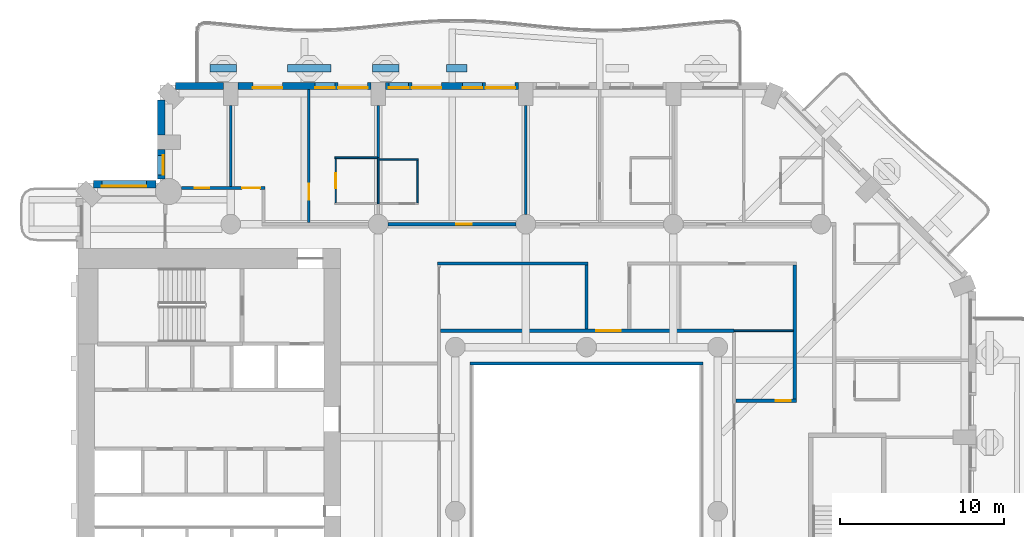
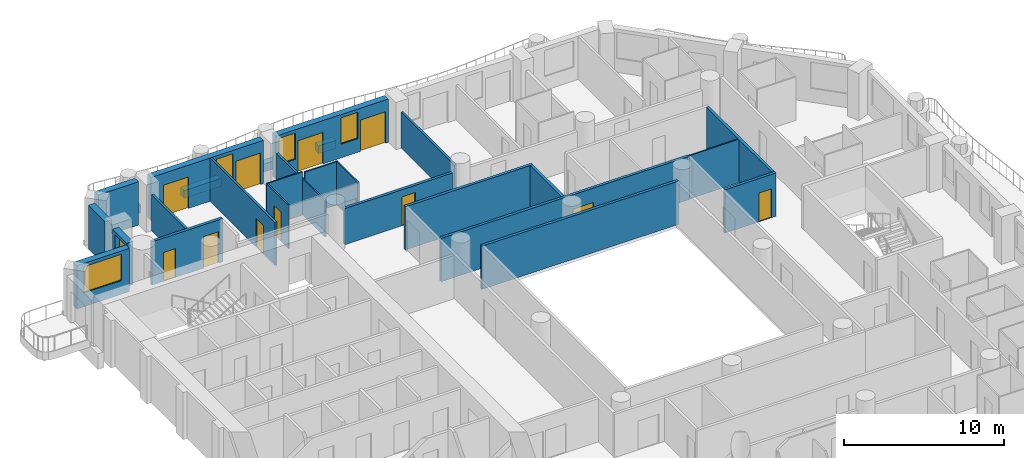
# One storey, part 8 of 20: 28 walls, 11 doors, 5 windows, 16 openings.
"""IFC4 building model written with IfcOpenShell, lengths in metres."""

from ifc_helpers import new_model, si_unit, direction, frame, frame_2d, origin, place, context, subcontext, project, spatial, rectangle, extrude, material, layer, layer_set, type_object, element, fill, save


model = new_model("IFC4")

# Units and contexts
model_context = context("Model", 3, precision=1e-05, world=origin(), true_north=direction((0.0, 1.0)))
body_context = subcontext(model_context, "Body", "Model", "MODEL_VIEW")
ifc_project = project(units=[si_unit("LENGTHUNIT", "METRE"), si_unit("AREAUNIT", "SQUARE_METRE"), si_unit("VOLUMEUNIT", "CUBIC_METRE"), si_unit("PLANEANGLEUNIT", "RADIAN"), si_unit("MASSUNIT", "GRAM", prefix="KILO")], contexts=[model_context])

# Site, building, storey
site_placement = place(None, origin())
site = spatial("IfcSite", under=ifc_project, at=site_placement, CompositionType="ELEMENT")
building_placement = place(site_placement, origin())
building = spatial("IfcBuilding", under=site, at=building_placement, Name="Cypress Arch Tower", CompositionType="ELEMENT")
storey_placement = place(building_placement, frame((0.0, 0.0, 77.10009765625)))
storey = spatial("IfcBuildingStorey", under=building, at=storey_placement, Name="L13", CompositionType="ELEMENT", Elevation=77.10009765625)

# Walls
ifc_material_1 = material(Name="Concrete C40/50, waterproofed", Category="concrete")
ifc_layer_1 = layer(ifc_material_1, 0.449951171875)
ifc_layer_set_1 = layer_set([ifc_layer_1], Name="Balcony planter wall PW450")
wall_type_1 = type_object("IfcWallType", Name="Balcony planter wall PW450", PredefinedType="SOLIDWALL", material=ifc_layer_set_1)
wall_1_placement = place(storey_placement, frame((-6.300048828125, 27.0, 0.0), z_axis=(0.0, 0.0, 1.0), x_axis=(-1.0, 0.0, 0.0)))
element("IfcWall", 1, at=wall_1_placement, inside=storey, type_object=wall_type_1, Name="Balcony planter wall L13-A08.3", PredefinedType="SOLIDWALL", context=body_context, shape_type="SweptSolid", body=[
    extrude(rectangle(XDim=1.25, YDim=0.449951171875, at=frame_2d((0.625, 0.0))), origin(), (0.0, 0.0, 1.0), 0.599853515625),
])
wall_2_placement = place(storey_placement, frame((-10.4375, 27.0, 0.0), z_axis=(0.0, 0.0, 1.0), x_axis=(-1.0, 0.0, 0.0)))
element("IfcWall", 2, at=wall_2_placement, inside=storey, type_object=wall_type_1, Name="Balcony planter wall L13-A08.4", PredefinedType="SOLIDWALL", context=body_context, shape_type="SweptSolid", body=[
    extrude(rectangle(XDim=1.612548828125, YDim=0.449951171875, at=frame_2d((0.80615234375, 0.0))), origin(), (0.0, 0.0, 1.0), 0.599853515625),
])
wall_3_placement = place(storey_placement, frame((-14.574951171875, 27.0, 0.0), z_axis=(0.0, 0.0, 1.0), x_axis=(-1.0, 0.0, 0.0)))
element("IfcWall", 3, at=wall_3_placement, inside=storey, type_object=wall_type_1, Name="Balcony planter wall L13-A08.5", PredefinedType="SOLIDWALL", context=body_context, shape_type="SweptSolid", body=[
    extrude(rectangle(XDim=2.675048828125, YDim=0.449951171875, at=frame_2d((1.33740234375, 0.0))), origin(), (0.0, 0.0, 1.0), 0.599853515625),
])
wall_4_placement = place(storey_placement, frame((-20.35009765625, 27.0, 0.0), z_axis=(0.0, 0.0, 1.0), x_axis=(-1.0, 0.0, 0.0)))
element("IfcWall", 4, at=wall_4_placement, inside=storey, type_object=wall_type_1, Name="Balcony planter wall L13-A08.6", PredefinedType="SOLIDWALL", context=body_context, shape_type="SweptSolid", body=[
    extrude(rectangle(XDim=1.599853515625, YDim=0.449951171875, at=frame_2d((0.7998046875, 0.0))), origin(), (0.0, 0.0, 1.0), 0.599853515625),
])

# Wall, openings, doors, windows
ifc_material_2 = material(Name="Brick (red buff blend)", Category="masonry")
ifc_layer_2 = layer(ifc_material_2, 0.449951171875)
ifc_layer_set_2 = layer_set([ifc_layer_2], Name="Brick pier and spandrel wall BW450")
wall_type_2 = type_object("IfcWallType", Name="Brick pier and spandrel wall BW450", PredefinedType="SOLIDWALL", material=ifc_layer_set_2)
wall_5_placement = place(storey_placement, frame((-3.14990234375, 25.925048828125, 0.0), z_axis=(0.0, 0.0, 1.0), x_axis=(-1.0, 0.0, 0.0)))
wall_5 = element("IfcWall", 5, at=wall_5_placement, inside=storey, type_object=wall_type_2, Name="Brick wall L13 A08.2", PredefinedType="SOLIDWALL", context=body_context, shape_type="SweptSolid", body=[
    extrude(rectangle(XDim=8.10009765625, YDim=0.449951171875, at=frame_2d((4.050048828125, 0.0))), origin(), (0.0, 0.0, 1.0), 3.2998046875),
])
opening_1_placement = place(wall_5_placement, frame((0.199951171875, 0.0, 0.0)))
opening_1 = element("IfcOpeningElement", 6, at=opening_1_placement, cuts=wall_5, Name="Opening D-L13-A08.2.1", PredefinedType="OPENING", context=body_context, shape_type="SweptSolid", body=[
    extrude(rectangle(XDim=1.800048828125, YDim=2.39990234375, at=frame_2d((0.89990234375, 1.199951171875))), frame((0.0, 0.23486328125, 0.0), z_axis=(0.0, -1.0, 0.0), x_axis=(1.0, 0.0, 0.0)), (0.0, 0.0, 1.0), 0.469970703125),
])
opening_2_placement = place(wall_5_placement, frame((2.199951171875, 0.0, 1.050048828125)))
opening_2 = element("IfcOpeningElement", 7, at=opening_2_placement, cuts=wall_5, Name="Opening W120HD", PredefinedType="OPENING", context=body_context, shape_type="SweptSolid", body=[
    extrude(rectangle(XDim=1.199951171875, YDim=2.0, at=frame_2d((0.60009765625, 1.0))), frame((0.0, 0.23486328125, 0.0), z_axis=(0.0, -1.0, 0.0), x_axis=(1.0, 0.0, 0.0)), (0.0, 0.0, 1.0), 0.469970703125),
])
opening_3_placement = place(wall_5_placement, frame((4.699951171875, 0.0, 0.0)))
opening_3 = element("IfcOpeningElement", 8, at=opening_3_placement, cuts=wall_5, Name="Opening D-L13-A08.2.2", PredefinedType="OPENING", context=body_context, shape_type="SweptSolid", body=[
    extrude(rectangle(XDim=1.800048828125, YDim=2.39990234375, at=frame_2d((0.89990234375, 1.199951171875))), frame((0.0, 0.23486328125, 0.0), z_axis=(0.0, -1.0, 0.0), x_axis=(1.0, 0.0, 0.0)), (0.0, 0.0, 1.0), 0.469970703125),
])
opening_4_placement = place(wall_5_placement, frame((6.699951171875, 0.0, 1.050048828125)))
opening_4 = element("IfcOpeningElement", 9, at=opening_4_placement, cuts=wall_5, Name="Opening W120HD", PredefinedType="OPENING", context=body_context, shape_type="SweptSolid", body=[
    extrude(rectangle(XDim=1.199951171875, YDim=2.0, at=frame_2d((0.60009765625, 1.0))), frame((0.0, 0.23486328125, 0.0), z_axis=(0.0, -1.0, 0.0), x_axis=(1.0, 0.0, 0.0)), (0.0, 0.0, 1.0), 0.469970703125),
])
ifc_material_3 = material(Name="Anodised aluminium, bronze finish, laminated low-emissivity double glazing, large-missile impact rated", Category="aluminium")
door_type_1 = type_object("IfcDoorType", Name="Balcony sliding door 1800x2400", OperationType="SLIDING_TO_LEFT", PredefinedType="DOOR", material=ifc_material_3)
door_1_placement = place(opening_1_placement, origin())
door_1 = element("IfcDoor", 10, at=door_1_placement, inside=storey, type_object=door_type_1, Name="Balcony door L13 A08.2.1", OperationType="SLIDING_TO_LEFT", OverallHeight=2.39990234375, OverallWidth=1.800048828125, PredefinedType="DOOR", context=body_context, shape_type="SweptSolid", body=[
    extrude(rectangle(XDim=1.800048828125, YDim=2.39990234375, at=frame_2d((0.89990234375, 1.199951171875))), frame((0.0, 0.1298828125, 0.0), z_axis=(0.0, -1.0, 0.0), x_axis=(1.0, 0.0, 0.0)), (0.0, 0.0, 1.0), 0.050048828125),
])
fill(opening_1, door_1)
door_2_placement = place(opening_3_placement, origin())
door_2 = element("IfcDoor", 11, at=door_2_placement, inside=storey, type_object=door_type_1, Name="Balcony door L13 A08.2.2", OperationType="SLIDING_TO_LEFT", OverallHeight=2.39990234375, OverallWidth=1.800048828125, PredefinedType="DOOR", context=body_context, shape_type="SweptSolid", body=[
    extrude(rectangle(XDim=1.800048828125, YDim=2.39990234375, at=frame_2d((0.89990234375, 1.199951171875))), frame((0.0, 0.1298828125, 0.0), z_axis=(0.0, -1.0, 0.0), x_axis=(1.0, 0.0, 0.0)), (0.0, 0.0, 1.0), 0.050048828125),
])
fill(opening_3, door_2)
ifc_material_4 = material(Name="Anodised aluminium, bronze finish, laminated low-emissivity double glazing, large-missile impact rated", Category="aluminium")
window_type_1 = type_object("IfcWindowType", Name="Window Hotel 1200x2000 debris-rated", PartitioningType="SINGLE_PANEL", PredefinedType="WINDOW", material=ifc_material_4)
window_1_placement = place(opening_2_placement, origin())
window_1 = element("IfcWindow", 12, at=window_1_placement, inside=storey, type_object=window_type_1, Name="Window L13 A08.2.1", OverallHeight=2.0, OverallWidth=1.199951171875, PartitioningType="SINGLE_PANEL", PredefinedType="WINDOW", context=body_context, shape_type="SweptSolid", body=[
    extrude(rectangle(XDim=1.199951171875, YDim=2.0, at=frame_2d((0.60009765625, 1.0))), frame((0.0, 0.135009765625, 0.0), z_axis=(0.0, -1.0, 0.0), x_axis=(1.0, 0.0, 0.0)), (0.0, 0.0, 1.0), 0.06005859375),
])
fill(opening_2, window_1)
window_2_placement = place(opening_4_placement, origin())
window_2 = element("IfcWindow", 13, at=window_2_placement, inside=storey, type_object=window_type_1, Name="Window L13 A08.2.2", OverallHeight=2.0, OverallWidth=1.199951171875, PartitioningType="SINGLE_PANEL", PredefinedType="WINDOW", context=body_context, shape_type="SweptSolid", body=[
    extrude(rectangle(XDim=1.199951171875, YDim=2.0, at=frame_2d((0.60009765625, 1.0))), frame((0.0, 0.135009765625, 0.0), z_axis=(0.0, -1.0, 0.0), x_axis=(1.0, 0.0, 0.0)), (0.0, 0.0, 1.0), 0.06005859375),
])
fill(opening_4, window_2)

# Wall, openings, doors, window
wall_6_placement = place(storey_placement, frame((-12.14990234375, 25.925048828125, 0.0), z_axis=(0.0, 0.0, 1.0), x_axis=(-1.0, 0.0, 0.0)))
wall_6 = element("IfcWall", 14, at=wall_6_placement, inside=storey, type_object=wall_type_2, Name="Brick wall L13 A08.3", PredefinedType="SOLIDWALL", context=body_context, shape_type="SweptSolid", body=[
    extrude(rectangle(XDim=8.10009765625, YDim=0.449951171875, at=frame_2d((4.050048828125, 0.0))), origin(), (0.0, 0.0, 1.0), 3.2998046875),
])
opening_5_placement = place(wall_6_placement, frame((0.199951171875, 0.0, 0.0)))
opening_5 = element("IfcOpeningElement", 15, at=opening_5_placement, cuts=wall_6, Name="Opening D-L13-A08.3.1", PredefinedType="OPENING", context=body_context, shape_type="SweptSolid", body=[
    extrude(rectangle(XDim=1.800048828125, YDim=2.39990234375, at=frame_2d((0.89990234375, 1.199951171875))), frame((0.0, 0.23486328125, 0.0), z_axis=(0.0, -1.0, 0.0), x_axis=(1.0, 0.0, 0.0)), (0.0, 0.0, 1.0), 0.469970703125),
])
opening_6_placement = place(wall_6_placement, frame((2.199951171875, 0.0, 1.050048828125)))
opening_6 = element("IfcOpeningElement", 16, at=opening_6_placement, cuts=wall_6, Name="Opening W120HD", PredefinedType="OPENING", context=body_context, shape_type="SweptSolid", body=[
    extrude(rectangle(XDim=1.199951171875, YDim=2.0, at=frame_2d((0.60009765625, 1.0))), frame((0.0, 0.23486328125, 0.0), z_axis=(0.0, -1.0, 0.0), x_axis=(1.0, 0.0, 0.0)), (0.0, 0.0, 1.0), 0.469970703125),
])
opening_7_placement = place(wall_6_placement, frame((5.39990234375, 0.0, 0.0)))
opening_7 = element("IfcOpeningElement", 17, at=opening_7_placement, cuts=wall_6, Name="Opening D-L13-A08.3.2", PredefinedType="OPENING", context=body_context, shape_type="SweptSolid", body=[
    extrude(rectangle(XDim=1.800048828125, YDim=2.39990234375, at=frame_2d((0.89990234375, 1.199951171875))), frame((0.0, 0.23486328125, 0.0), z_axis=(0.0, -1.0, 0.0), x_axis=(1.0, 0.0, 0.0)), (0.0, 0.0, 1.0), 0.469970703125),
])
door_3_placement = place(opening_5_placement, origin())
door_3 = element("IfcDoor", 18, at=door_3_placement, inside=storey, type_object=door_type_1, Name="Balcony door L13 A08.3.1", OperationType="SLIDING_TO_LEFT", OverallHeight=2.39990234375, OverallWidth=1.800048828125, PredefinedType="DOOR", context=body_context, shape_type="SweptSolid", body=[
    extrude(rectangle(XDim=1.800048828125, YDim=2.39990234375, at=frame_2d((0.89990234375, 1.199951171875))), frame((0.0, 0.1298828125, 0.0), z_axis=(0.0, -1.0, 0.0), x_axis=(1.0, 0.0, 0.0)), (0.0, 0.0, 1.0), 0.050048828125),
])
fill(opening_5, door_3)
door_4_placement = place(opening_7_placement, origin())
door_4 = element("IfcDoor", 19, at=door_4_placement, inside=storey, type_object=door_type_1, Name="Balcony door L13 A08.3.2", OperationType="SLIDING_TO_LEFT", OverallHeight=2.39990234375, OverallWidth=1.800048828125, PredefinedType="DOOR", context=body_context, shape_type="SweptSolid", body=[
    extrude(rectangle(XDim=1.800048828125, YDim=2.39990234375, at=frame_2d((0.89990234375, 1.199951171875))), frame((0.0, 0.1298828125, 0.0), z_axis=(0.0, -1.0, 0.0), x_axis=(1.0, 0.0, 0.0)), (0.0, 0.0, 1.0), 0.050048828125),
])
fill(opening_7, door_4)
window_3_placement = place(opening_6_placement, origin())
window_3 = element("IfcWindow", 20, at=window_3_placement, inside=storey, type_object=window_type_1, Name="Window L13 A08.3.1", OverallHeight=2.0, OverallWidth=1.199951171875, PartitioningType="SINGLE_PANEL", PredefinedType="WINDOW", context=body_context, shape_type="SweptSolid", body=[
    extrude(rectangle(XDim=1.199951171875, YDim=2.0, at=frame_2d((0.60009765625, 1.0))), frame((0.0, 0.135009765625, 0.0), z_axis=(0.0, -1.0, 0.0), x_axis=(1.0, 0.0, 0.0)), (0.0, 0.0, 1.0), 0.06005859375),
])
fill(opening_6, window_3)

# Walls
wall_7_placement = place(storey_placement, frame((-21.14990234375, 25.925048828125, 0.0), z_axis=(0.0, 0.0, 1.0), x_axis=(-1.0, 0.0, 0.0)))
element("IfcWall", 21, at=wall_7_placement, inside=storey, type_object=wall_type_2, Name="Brick wall L13 A08.4", PredefinedType="SOLIDWALL", context=body_context, shape_type="SweptSolid", body=[
    extrude(rectangle(XDim=2.913818359375, YDim=0.449951171875, at=frame_2d((1.45703125, 0.0))), origin(), (0.0, 0.0, 1.0), 3.2998046875),
])
wall_8_placement = place(storey_placement, frame((-24.925048828125, 25.063720703125, 0.0), z_axis=(0.0, 0.0, 1.0), x_axis=(0.0, -1.0, 0.0)))
element("IfcWall", 22, at=wall_8_placement, inside=storey, type_object=wall_type_2, Name="Brick wall L13 A09.0", PredefinedType="SOLIDWALL", context=body_context, shape_type="SweptSolid", body=[
    extrude(rectangle(XDim=2.11376953125, YDim=0.449951171875, at=frame_2d((1.056884765625, 0.0))), origin(), (0.0, 0.0, 1.0), 3.2998046875),
])

# Wall, opening, window
wall_9_placement = place(storey_placement, frame((-24.925048828125, 22.050048828125, 0.0), z_axis=(0.0, 0.0, 1.0), x_axis=(0.0, -1.0, 0.0)))
wall_9 = element("IfcWall", 23, at=wall_9_placement, inside=storey, type_object=wall_type_2, Name="Brick wall L13 A09.1", PredefinedType="SOLIDWALL", context=body_context, shape_type="SweptSolid", body=[
    extrude(rectangle(XDim=1.79150390625, YDim=0.449951171875, at=frame_2d((0.895751953125, 0.0))), origin(), (0.0, 0.0, 1.0), 3.2998046875),
])
opening_8_placement = place(wall_9_placement, frame((0.35009765625, 0.0, 1.050048828125)))
opening_8 = element("IfcOpeningElement", 24, at=opening_8_placement, cuts=wall_9, Name="Opening W120H", PredefinedType="OPENING", context=body_context, shape_type="SweptSolid", body=[
    extrude(rectangle(XDim=1.199951171875, YDim=2.0, at=frame_2d((0.60009765625, 1.0))), frame((0.0, 0.23486328125, 0.0), z_axis=(0.0, -1.0, 0.0), x_axis=(1.0, 0.0, 0.0)), (0.0, 0.0, 1.0), 0.469970703125),
])
ifc_material_5 = material(Name="Anodised aluminium, bronze finish, clear low-emissivity double glazing", Category="aluminium")
window_type_2 = type_object("IfcWindowType", Name="Window Hotel 1200x2000", PartitioningType="SINGLE_PANEL", PredefinedType="WINDOW", material=ifc_material_5)
window_4_placement = place(opening_8_placement, origin())
window_4 = element("IfcWindow", 25, at=window_4_placement, inside=storey, type_object=window_type_2, Name="Window L13 A09.1.1", OverallHeight=2.0, OverallWidth=1.199951171875, PartitioningType="SINGLE_PANEL", PredefinedType="WINDOW", context=body_context, shape_type="SweptSolid", body=[
    extrude(rectangle(XDim=1.199951171875, YDim=2.0, at=frame_2d((0.60009765625, 1.0))), frame((0.0, 0.135009765625, 0.0), z_axis=(0.0, -1.0, 0.0), x_axis=(1.0, 0.0, 0.0)), (0.0, 0.0, 1.0), 0.06005859375),
])
fill(opening_8, window_4)

wall_10_placement = place(storey_placement, frame((-25.258544921875, 19.925048828125, 0.0), z_axis=(0.0, 0.0, 1.0), x_axis=(-1.0, 0.0, 0.0)))
wall_10 = element("IfcWall", 26, at=wall_10_placement, inside=storey, type_object=wall_type_2, Name="Brick wall L13 A10.0", PredefinedType="SOLIDWALL", context=body_context, shape_type="SweptSolid", body=[
    extrude(rectangle(XDim=3.80517578125, YDim=0.449951171875, at=frame_2d((1.902587890625, 0.0))), origin(), (0.0, 0.0, 1.0), 3.2998046875),
])
opening_9_placement = place(wall_10_placement, frame((0.591552734375, 0.0, 1.050048828125)))
opening_9 = element("IfcOpeningElement", 27, at=opening_9_placement, cuts=wall_10, Name="Opening W270H", PredefinedType="OPENING", context=body_context, shape_type="SweptSolid", body=[
    extrude(rectangle(XDim=2.699951171875, YDim=2.0, at=frame_2d((1.35009765625, 1.0))), frame((0.0, 0.23486328125, 0.0), z_axis=(0.0, -1.0, 0.0), x_axis=(1.0, 0.0, 0.0)), (0.0, 0.0, 1.0), 0.469970703125),
])
ifc_material_6 = material(Name="Anodised aluminium, bronze finish, clear low-emissivity double glazing", Category="aluminium")
window_type_3 = type_object("IfcWindowType", Name="Window Hotel 2700x2000", PartitioningType="SINGLE_PANEL", PredefinedType="WINDOW", material=ifc_material_6)
window_5_placement = place(opening_9_placement, origin())
window_5 = element("IfcWindow", 28, at=window_5_placement, inside=storey, type_object=window_type_3, Name="Window L13 A10.0.1", OverallHeight=2.0, OverallWidth=2.699951171875, PartitioningType="SINGLE_PANEL", PredefinedType="WINDOW", context=body_context, shape_type="SweptSolid", body=[
    extrude(rectangle(XDim=2.699951171875, YDim=2.0, at=frame_2d((1.35009765625, 1.0))), frame((0.0, 0.135009765625, 0.0), z_axis=(0.0, -1.0, 0.0), x_axis=(1.0, 0.0, 0.0)), (0.0, 0.0, 1.0), 0.06005859375),
])
fill(opening_9, window_5)

# Wall, openings, doors
ifc_material_7 = material(Name="Concrete blockwork, plastered, rated", Category="masonry")
ifc_layer_3 = layer(ifc_material_7, 0.199951171875)
ifc_layer_set_3 = layer_set([ifc_layer_3], Name="Corridor wall FW200")
wall_type_3 = type_object("IfcWallType", Name="Corridor wall FW200", PredefinedType="PARTITIONING", material=ifc_layer_set_3)
wall_11_placement = place(storey_placement, frame((-23.7001953125, 19.699951171875, 0.0), z_axis=(0.0, 0.0, 1.0), x_axis=(1.0, 0.0, 0.0)))
wall_11 = element("IfcWall", 29, at=wall_11_placement, inside=storey, type_object=wall_type_3, Name="Corridor wall", PredefinedType="PARTITIONING", context=body_context, shape_type="SweptSolid", body=[
    extrude(rectangle(XDim=5.10009765625, YDim=0.199951171875, at=frame_2d((2.550048828125, 0.0))), origin(), (0.0, 0.0, 1.0), 3.2998046875),
])
opening_10_placement = place(wall_11_placement, frame((0.800048828125, 0.0, 0.0)))
opening_10 = element("IfcOpeningElement", 30, at=opening_10_placement, cuts=wall_11, Name="Opening D05", PredefinedType="OPENING", context=body_context, shape_type="SweptSolid", body=[
    extrude(rectangle(XDim=0.89990234375, YDim=2.199951171875, at=frame_2d((0.449951171875, 1.10009765625))), frame((0.0, 0.10986328125, 0.0), z_axis=(0.0, -1.0, 0.0), x_axis=(1.0, 0.0, 0.0)), (0.0, 0.0, 1.0), 0.219970703125),
])
opening_11_placement = place(wall_11_placement, frame((3.699951171875, 0.0, 0.0)))
opening_11 = element("IfcOpeningElement", 31, at=opening_11_placement, cuts=wall_11, Name="Opening D01", PredefinedType="OPENING", context=body_context, shape_type="SweptSolid", body=[
    extrude(rectangle(XDim=1.10009765625, YDim=2.39990234375, at=frame_2d((0.550048828125, 1.199951171875))), frame((0.0, 0.10986328125, 0.0), z_axis=(0.0, -1.0, 0.0), x_axis=(1.0, 0.0, 0.0)), (0.0, 0.0, 1.0), 0.219970703125),
])
ifc_material_8 = material(Name="Timber flush door", Category="wood")
door_type_2 = type_object("IfcDoorType", Name="Service door D05 900x2200", OperationType="SINGLE_SWING_LEFT", PredefinedType="DOOR", material=ifc_material_8)
door_5_placement = place(opening_10_placement, origin())
door_5 = element("IfcDoor", 32, at=door_5_placement, inside=storey, type_object=door_type_2, Name="Service door", OperationType="SINGLE_SWING_LEFT", OverallHeight=2.199951171875, OverallWidth=0.89990234375, PredefinedType="DOOR", context=body_context, shape_type="SweptSolid", body=[
    extrude(rectangle(XDim=0.89990234375, YDim=2.199951171875, at=frame_2d((0.449951171875, 1.10009765625))), frame((0.0, 0.02490234375, 0.0), z_axis=(0.0, -1.0, 0.0), x_axis=(1.0, 0.0, 0.0)), (0.0, 0.0, 1.0), 0.050048828125),
])
fill(opening_10, door_5)
ifc_material_9 = material(Name="Timber flush door, fire resisting, self-closing", Category="wood")
door_type_3 = type_object("IfcDoorType", Name="Unit entrance door D01 1100x2400", OperationType="SINGLE_SWING_LEFT", PredefinedType="DOOR", material=ifc_material_9)
door_6_placement = place(opening_11_placement, origin())
door_6 = element("IfcDoor", 33, at=door_6_placement, inside=storey, type_object=door_type_3, Name="Unit entrance door", OperationType="SINGLE_SWING_LEFT", OverallHeight=2.39990234375, OverallWidth=1.10009765625, PredefinedType="DOOR", context=body_context, shape_type="SweptSolid", body=[
    extrude(rectangle(XDim=1.10009765625, YDim=2.39990234375, at=frame_2d((0.550048828125, 1.199951171875))), frame((0.0, 0.02490234375, 0.0), z_axis=(0.0, -1.0, 0.0), x_axis=(1.0, 0.0, 0.0)), (0.0, 0.0, 1.0), 0.050048828125),
])
fill(opening_11, door_6)

# Wall, opening, door
wall_12_placement = place(storey_placement, frame((-11.10009765625, 17.5, 0.0), z_axis=(0.0, 0.0, 1.0), x_axis=(1.0, 0.0, 0.0)))
wall_12 = element("IfcWall", 34, at=wall_12_placement, inside=storey, type_object=wall_type_3, Name="Corridor wall", PredefinedType="PARTITIONING", context=body_context, shape_type="SweptSolid", body=[
    extrude(rectangle(XDim=7.800048828125, YDim=0.199951171875, at=frame_2d((3.89990234375, 0.0))), origin(), (0.0, 0.0, 1.0), 2.75),
])
opening_12_placement = place(wall_12_placement, frame((4.14990234375, 0.0, 0.0)))
opening_12 = element("IfcOpeningElement", 35, at=opening_12_placement, cuts=wall_12, Name="Opening D02", PredefinedType="OPENING", context=body_context, shape_type="SweptSolid", body=[
    extrude(rectangle(XDim=0.949951171875, YDim=2.199951171875, at=frame_2d((0.47509765625, 1.10009765625))), frame((0.0, 0.10986328125, 0.0), z_axis=(0.0, -1.0, 0.0), x_axis=(1.0, 0.0, 0.0)), (0.0, 0.0, 1.0), 0.219970703125),
])
ifc_material_10 = material(Name="Timber flush door, fire resisting", Category="wood")
door_type_4 = type_object("IfcDoorType", Name="Room door D02 950x2200", OperationType="SINGLE_SWING_LEFT", PredefinedType="DOOR", material=ifc_material_10)
door_7_placement = place(opening_12_placement, origin())
door_7 = element("IfcDoor", 36, at=door_7_placement, inside=storey, type_object=door_type_4, Name="Room door", OperationType="SINGLE_SWING_RIGHT", OverallHeight=2.199951171875, OverallWidth=0.949951171875, PredefinedType="DOOR", context=body_context, shape_type="SweptSolid", body=[
    extrude(rectangle(XDim=0.949951171875, YDim=2.199951171875, at=frame_2d((0.47509765625, 1.10009765625))), frame((0.0, 0.02490234375, 0.0), z_axis=(0.0, -1.0, 0.0), x_axis=(1.0, 0.0, 0.0)), (0.0, 0.0, 1.0), 0.050048828125),
])
fill(opening_12, door_7)

wall_13_placement = place(storey_placement, frame((-7.89990234375, 11.0, 0.0), z_axis=(0.0, 0.0, 1.0), x_axis=(1.0, 0.0, 0.0)))
wall_13 = element("IfcWall", 37, at=wall_13_placement, inside=storey, type_object=wall_type_3, Name="Corridor wall", PredefinedType="PARTITIONING", context=body_context, shape_type="SweptSolid", body=[
    extrude(rectangle(XDim=17.89990234375, YDim=0.199951171875, at=frame_2d((8.949951171875, 0.0))), origin(), (0.0, 0.0, 1.0), 3.2998046875),
])
opening_13_placement = place(wall_13_placement, frame((9.5, 0.0, 0.0)))
opening_13 = element("IfcOpeningElement", 38, at=opening_13_placement, cuts=wall_13, Name="Opening D04", PredefinedType="OPENING", context=body_context, shape_type="SweptSolid", body=[
    extrude(rectangle(XDim=1.5, YDim=2.199951171875, at=frame_2d((0.75, 1.10009765625))), frame((0.0, 0.10986328125, 0.0), z_axis=(0.0, -1.0, 0.0), x_axis=(1.0, 0.0, 0.0)), (0.0, 0.0, 1.0), 0.219970703125),
])
ifc_material_11 = material(Name="Timber double door", Category="wood")
door_type_5 = type_object("IfcDoorType", Name="Double door D04 1500x2200", OperationType="DOUBLE_DOOR_SINGLE_SWING", PredefinedType="DOOR", material=ifc_material_11)
door_8_placement = place(opening_13_placement, origin())
door_8 = element("IfcDoor", 39, at=door_8_placement, inside=storey, type_object=door_type_5, Name="Double door", OperationType="DOUBLE_DOOR_SINGLE_SWING", OverallHeight=2.199951171875, OverallWidth=1.5, PredefinedType="DOOR", context=body_context, shape_type="SweptSolid", body=[
    extrude(rectangle(XDim=1.5, YDim=2.199951171875, at=frame_2d((0.75, 1.10009765625))), frame((0.0, 0.02490234375, 0.0), z_axis=(0.0, -1.0, 0.0), x_axis=(1.0, 0.0, 0.0)), (0.0, 0.0, 1.0), 0.050048828125),
])
fill(opening_13, door_8)

# Walls
wall_14_placement = place(storey_placement, frame((-8.10009765625, 15.10009765625, 0.0), z_axis=(0.0, 0.0, 1.0), x_axis=(1.0, 0.0, 0.0)))
element("IfcWall", 40, at=wall_14_placement, inside=storey, type_object=wall_type_3, Name="Corridor wall", PredefinedType="PARTITIONING", context=body_context, shape_type="SweptSolid", body=[
    extrude(rectangle(XDim=9.2001953125, YDim=0.199951171875, at=frame_2d((4.60009765625, 0.0))), origin(), (0.0, 0.0, 1.0), 3.2998046875),
])
wall_15_placement = place(storey_placement, frame((-6.10009765625, 9.0, 0.0), z_axis=(0.0, 0.0, 1.0), x_axis=(1.0, 0.0, 0.0)))
element("IfcWall", 41, at=wall_15_placement, inside=storey, type_object=wall_type_3, Name="Corridor wall", PredefinedType="PARTITIONING", context=body_context, shape_type="SweptSolid", body=[
    extrude(rectangle(XDim=14.2001953125, YDim=0.199951171875, at=frame_2d((7.10009765625, 0.0))), origin(), (0.0, 0.0, 1.0), 3.2998046875),
])
wall_16_placement = place(storey_placement, frame((1.0, 11.10009765625, 0.0), z_axis=(0.0, 0.0, 1.0), x_axis=(0.0, 1.0, 0.0)))
element("IfcWall", 42, at=wall_16_placement, inside=storey, type_object=wall_type_3, Name="Corridor wall", PredefinedType="PARTITIONING", context=body_context, shape_type="SweptSolid", body=[
    extrude(rectangle(XDim=3.89990234375, YDim=0.199951171875, at=frame_2d((1.949951171875, 0.0))), origin(), (0.0, 0.0, 1.0), 3.2998046875),
])

# Wall, opening, door
wall_17_placement = place(storey_placement, frame((10.10009765625, 6.72509765625, 0.0), z_axis=(0.0, 0.0, 1.0), x_axis=(1.0, 0.0, 0.0)))
wall_17 = element("IfcWall", 43, at=wall_17_placement, inside=storey, type_object=wall_type_3, Name="Corridor wall", PredefinedType="PARTITIONING", context=body_context, shape_type="SweptSolid", body=[
    extrude(rectangle(XDim=3.699951171875, YDim=0.199951171875, at=frame_2d((1.85009765625, 0.0))), origin(), (0.0, 0.0, 1.0), 3.2998046875),
])
opening_14_placement = place(wall_17_placement, frame((2.449951171875, 0.0, 0.0)))
opening_14 = element("IfcOpeningElement", 44, at=opening_14_placement, cuts=wall_17, Name="Opening D03", PredefinedType="OPENING", context=body_context, shape_type="SweptSolid", body=[
    extrude(rectangle(XDim=0.89990234375, YDim=2.199951171875, at=frame_2d((0.449951171875, 1.10009765625))), frame((0.0, 0.10986328125, 0.0), z_axis=(0.0, -1.0, 0.0), x_axis=(1.0, 0.0, 0.0)), (0.0, 0.0, 1.0), 0.219970703125),
])
ifc_material_12 = material(Name="Timber flush door, moisture resistant", Category="wood")
door_type_6 = type_object("IfcDoorType", Name="Bathroom door D03 900x2200", OperationType="SINGLE_SWING_LEFT", PredefinedType="DOOR", material=ifc_material_12)
door_9_placement = place(opening_14_placement, origin())
door_9 = element("IfcDoor", 45, at=door_9_placement, inside=storey, type_object=door_type_6, Name="Bathroom door", OperationType="SINGLE_SWING_RIGHT", OverallHeight=2.199951171875, OverallWidth=0.89990234375, PredefinedType="DOOR", context=body_context, shape_type="SweptSolid", body=[
    extrude(rectangle(XDim=0.89990234375, YDim=2.199951171875, at=frame_2d((0.449951171875, 1.10009765625))), frame((0.0, 0.02490234375, 0.0), z_axis=(0.0, -1.0, 0.0), x_axis=(1.0, 0.0, 0.0)), (0.0, 0.0, 1.0), 0.050048828125),
])
fill(opening_14, door_9)

# Walls
wall_18_placement = place(storey_placement, frame((13.699951171875, 6.824951171875, 0.0), z_axis=(0.0, 0.0, 1.0), x_axis=(0.0, 1.0, 0.0)))
element("IfcWall", 46, at=wall_18_placement, inside=storey, type_object=wall_type_3, Name="Corridor wall", PredefinedType="PARTITIONING", context=body_context, shape_type="SweptSolid", body=[
    extrude(rectangle(XDim=8.175048828125, YDim=0.199951171875, at=frame_2d((4.08740234375, 0.0))), origin(), (0.0, 0.0, 1.0), 3.2998046875),
])
ifc_material_13 = material(Name="Blockwork, plastered both sides", Category="masonry")
ifc_layer_4 = layer(ifc_material_13, 0.14990234375)
ifc_layer_set_4 = layer_set([ifc_layer_4], Name="Partition PW150")
wall_type_4 = type_object("IfcWallType", Name="Partition PW150", PredefinedType="PARTITIONING", material=ifc_layer_set_4)
wall_19_placement = place(storey_placement, frame((-20.699951171875, 19.800048828125, 0.0), z_axis=(0.0, 0.0, 1.0), x_axis=(0.0, 1.0, 0.0)))
element("IfcWall", 47, at=wall_19_placement, inside=storey, type_object=wall_type_4, Name="Partition", PredefinedType="PARTITIONING", context=body_context, shape_type="SweptSolid", body=[
    extrude(rectangle(XDim=4.949951171875, YDim=0.14990234375, at=frame_2d((2.47509765625, 0.0))), origin(), (0.0, 0.0, 1.0), 2.75),
])

# Wall, opening, door
wall_20_placement = place(storey_placement, frame((-15.930908203125, 17.60009765625, 0.0), z_axis=(0.0, 0.0, 1.0), x_axis=(0.0, 1.0, 0.0)))
wall_20 = element("IfcWall", 48, at=wall_20_placement, inside=storey, type_object=wall_type_4, Name="Partition", PredefinedType="PARTITIONING", context=body_context, shape_type="SweptSolid", body=[
    extrude(rectangle(XDim=8.099853515625, YDim=0.14990234375, at=frame_2d((4.0498046875, 0.0))), origin(), (0.0, 0.0, 1.0), 3.2998046875),
])
opening_15_placement = place(wall_20_placement, frame((1.39990234375, 0.0, 0.0)))
opening_15 = element("IfcOpeningElement", 49, at=opening_15_placement, cuts=wall_20, Name="Opening D12", PredefinedType="OPENING", context=body_context, shape_type="SweptSolid", body=[
    extrude(rectangle(XDim=0.949951171875, YDim=2.199951171875, at=frame_2d((0.47509765625, 1.10009765625))), frame((0.0, 0.0849609375, 0.0), z_axis=(0.0, -1.0, 0.0), x_axis=(1.0, 0.0, 0.0)), (0.0, 0.0, 1.0), 0.169921875),
])
ifc_material_14 = material(Name="Timber flush door", Category="wood")
door_type_7 = type_object("IfcDoorType", Name="Room door D12 950x2200", OperationType="SINGLE_SWING_LEFT", PredefinedType="DOOR", material=ifc_material_14)
door_10_placement = place(opening_15_placement, origin())
door_10 = element("IfcDoor", 50, at=door_10_placement, inside=storey, type_object=door_type_7, Name="Room door", OperationType="SINGLE_SWING_LEFT", OverallHeight=2.199951171875, OverallWidth=0.949951171875, PredefinedType="DOOR", context=body_context, shape_type="SweptSolid", body=[
    extrude(rectangle(XDim=0.949951171875, YDim=2.199951171875, at=frame_2d((0.47509765625, 1.10009765625))), frame((0.0, 0.02490234375, 0.0), z_axis=(0.0, -1.0, 0.0), x_axis=(1.0, 0.0, 0.0)), (0.0, 0.0, 1.0), 0.050048828125),
])
fill(opening_15, door_10)

# Walls
wall_21_placement = place(storey_placement, frame((-11.699951171875, 21.550048828125, 0.0), z_axis=(0.0, 0.0, 1.0), x_axis=(0.0, 1.0, 0.0)))
element("IfcWall", 51, at=wall_21_placement, inside=storey, type_object=wall_type_4, Name="Partition", PredefinedType="PARTITIONING", context=body_context, shape_type="SweptSolid", body=[
    extrude(rectangle(XDim=3.199951171875, YDim=0.14990234375, at=frame_2d((1.60009765625, 0.0))), origin(), (0.0, 0.0, 1.0), 2.75),
])
wall_22_placement = place(storey_placement, frame((-2.699951171875, 18.10009765625, 0.0), z_axis=(0.0, 0.0, 1.0), x_axis=(0.0, 1.0, 0.0)))
element("IfcWall", 52, at=wall_22_placement, inside=storey, type_object=wall_type_4, Name="Partition", PredefinedType="PARTITIONING", context=body_context, shape_type="SweptSolid", body=[
    extrude(rectangle(XDim=6.64990234375, YDim=0.14990234375, at=frame_2d((3.324951171875, 0.0))), origin(), (0.0, 0.0, 1.0), 2.75),
])

# Wall, opening, door
ifc_material_15 = material(Name="Moisture resistant board on steel studs, tiled", Category="steel")
ifc_layer_5 = layer(ifc_material_15, 0.10009765625)
ifc_layer_set_5 = layer_set([ifc_layer_5], Name="Wet wall PW100")
wall_type_5 = type_object("IfcWallType", Name="Wet wall PW100", PredefinedType="PARTITIONING", material=ifc_layer_set_5)
wall_23_placement = place(storey_placement, frame((-14.2958984375, 18.800048828125, 0.0), z_axis=(0.0, 0.0, 1.0), x_axis=(0.0, 1.0, 0.0)))
wall_23 = element("IfcWall", 53, at=wall_23_placement, inside=storey, type_object=wall_type_5, Name="Wet wall", PredefinedType="PARTITIONING", context=body_context, shape_type="SweptSolid", body=[
    extrude(rectangle(XDim=2.699951171875, YDim=0.10009765625, at=frame_2d((1.35009765625, 0.0))), origin(), (0.0, 0.0, 1.0), 3.2998046875),
])
opening_16_placement = place(wall_23_placement, frame((0.89990234375, 0.0, 0.0)))
opening_16 = element("IfcOpeningElement", 54, at=opening_16_placement, cuts=wall_23, Name="Opening D03", PredefinedType="OPENING", context=body_context, shape_type="SweptSolid", body=[
    extrude(rectangle(XDim=0.89990234375, YDim=2.199951171875, at=frame_2d((0.449951171875, 1.10009765625))), frame((0.0, 0.06005859375, 0.0), z_axis=(0.0, -1.0, 0.0), x_axis=(1.0, 0.0, 0.0)), (0.0, 0.0, 1.0), 0.1201171875),
])
door_11_placement = place(opening_16_placement, origin())
door_11 = element("IfcDoor", 55, at=door_11_placement, inside=storey, type_object=door_type_6, Name="Bathroom door", OperationType="SINGLE_SWING_LEFT", OverallHeight=2.199951171875, OverallWidth=0.89990234375, PredefinedType="DOOR", context=body_context, shape_type="SweptSolid", body=[
    extrude(rectangle(XDim=0.89990234375, YDim=2.199951171875, at=frame_2d((0.449951171875, 1.10009765625))), frame((0.0, 0.02490234375, 0.0), z_axis=(0.0, -1.0, 0.0), x_axis=(1.0, 0.0, 0.0)), (0.0, 0.0, 1.0), 0.050048828125),
])
fill(opening_16, door_11)

# Walls
wall_24_placement = place(storey_placement, frame((-14.345947265625, 21.550048828125, 0.0), z_axis=(0.0, 0.0, 1.0), x_axis=(1.0, 0.0, 0.0)))
element("IfcWall", 56, at=wall_24_placement, inside=storey, type_object=wall_type_5, Name="Wet wall", PredefinedType="PARTITIONING", context=body_context, shape_type="SweptSolid", body=[
    extrude(rectangle(XDim=2.595947265625, YDim=0.10009765625, at=frame_2d((1.2978515625, 0.0))), origin(), (0.0, 0.0, 1.0), 3.2998046875),
])
wall_25_placement = place(storey_placement, frame((-11.699951171875, 18.72998046875, 0.0), z_axis=(0.0, 0.0, 1.0), x_axis=(0.0, 1.0, 0.0)))
element("IfcWall", 57, at=wall_25_placement, inside=storey, type_object=wall_type_5, Name="Wet wall", PredefinedType="PARTITIONING", context=body_context, shape_type="SweptSolid", body=[
    extrude(rectangle(XDim=2.820068359375, YDim=0.10009765625, at=frame_2d((1.41015625, 0.0))), origin(), (0.0, 0.0, 1.0), 2.75),
])
wall_26_placement = place(storey_placement, frame((-11.64990234375, 21.449951171875, 0.0), z_axis=(0.0, 0.0, 1.0), x_axis=(1.0, 0.0, 0.0)))
element("IfcWall", 58, at=wall_26_placement, inside=storey, type_object=wall_type_5, Name="Wet wall", PredefinedType="PARTITIONING", context=body_context, shape_type="SweptSolid", body=[
    extrude(rectangle(XDim=2.39599609375, YDim=0.10009765625, at=frame_2d((1.197998046875, 0.0))), origin(), (0.0, 0.0, 1.0), 3.2998046875),
])
wall_27_placement = place(storey_placement, frame((-9.303955078125, 18.800048828125, 0.0), z_axis=(0.0, 0.0, 1.0), x_axis=(0.0, 1.0, 0.0)))
element("IfcWall", 59, at=wall_27_placement, inside=storey, type_object=wall_type_5, Name="Wet wall", PredefinedType="PARTITIONING", context=body_context, shape_type="SweptSolid", body=[
    extrude(rectangle(XDim=2.599853515625, YDim=0.10009765625, at=frame_2d((1.2998046875, 0.0))), origin(), (0.0, 0.0, 1.0), 3.2998046875),
])
wall_28_placement = place(storey_placement, frame((10.0, 11.0, 0.0), z_axis=(0.0, 0.0, 1.0), x_axis=(1.0, 0.0, 0.0)))
element("IfcWall", 60, at=wall_28_placement, inside=storey, type_object=wall_type_5, Name="Wet wall", PredefinedType="PARTITIONING", context=body_context, shape_type="SweptSolid", body=[
    extrude(rectangle(XDim=3.60009765625, YDim=0.10009765625, at=frame_2d((1.800048828125, 0.0))), origin(), (0.0, 0.0, 1.0), 3.2998046875),
])

save(model, "model.ifc")
